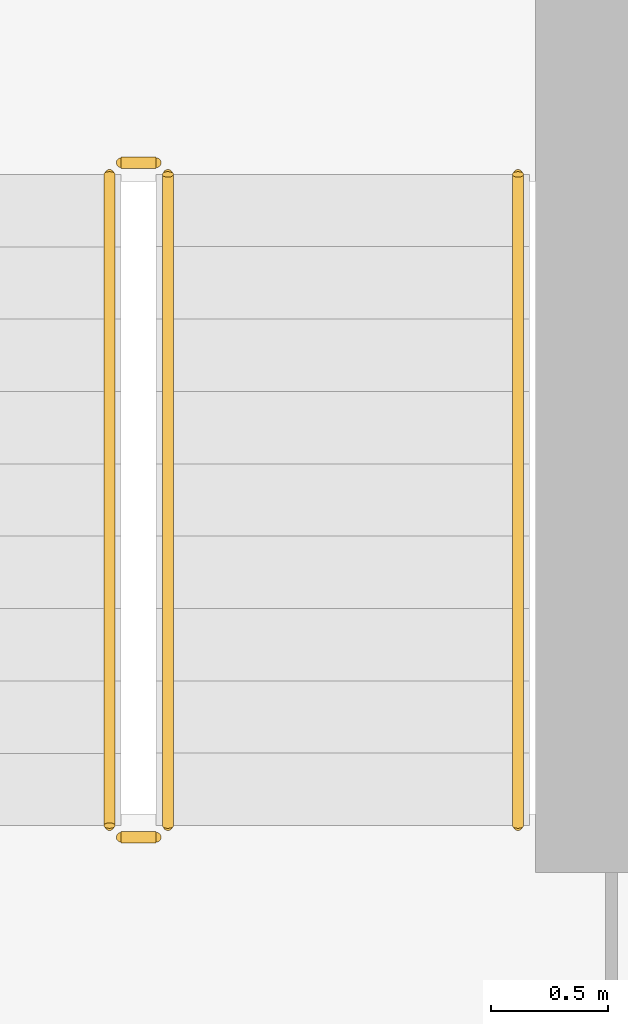
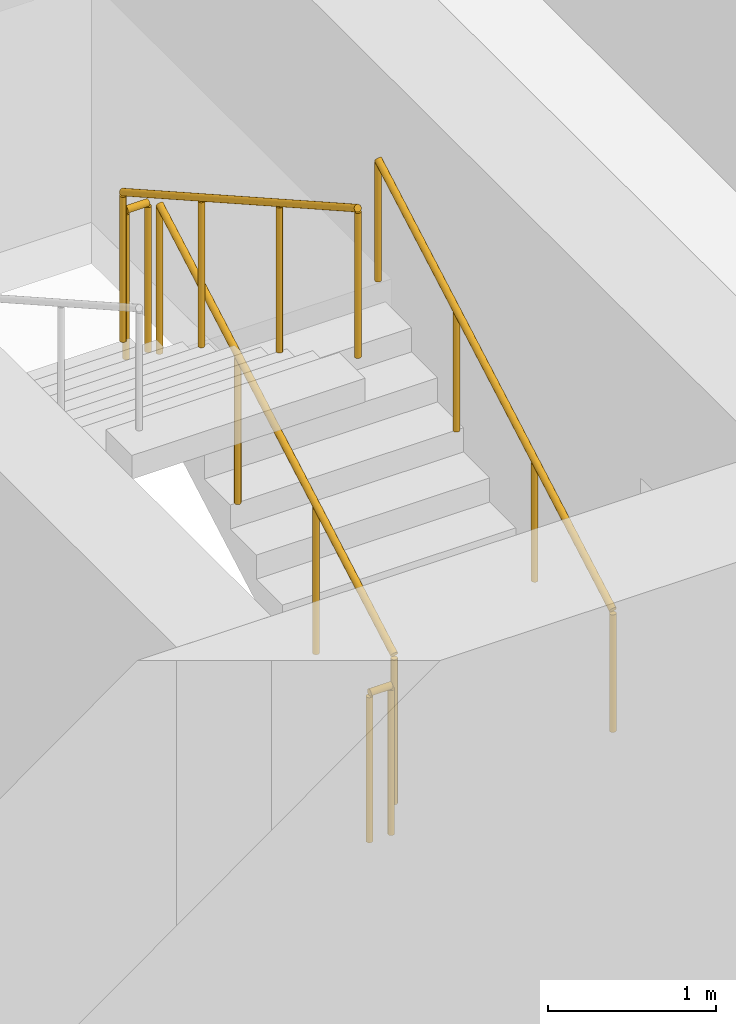
# One storey, part 20 of 22: 5 railings.
"""IFC4 building model written with IfcOpenShell, lengths in metres."""

from ifc_helpers import new_model, si_unit, direction, frame, origin, origin_2d, place, context, subcontext, project, spatial, circle, extrude, material, type_object, element, save


model = new_model("IFC4")

# Units and contexts
model_context = context("Model", 3, precision=1e-05, world=origin(), true_north=direction((0.0, 1.0)))
body_context = subcontext(model_context, "Body", "Model", "MODEL_VIEW")
ifc_project = project(units=[si_unit("LENGTHUNIT", "METRE"), si_unit("AREAUNIT", "SQUARE_METRE"), si_unit("VOLUMEUNIT", "CUBIC_METRE"), si_unit("PLANEANGLEUNIT", "RADIAN"), si_unit("MASSUNIT", "GRAM", prefix="KILO")], contexts=[model_context])

# Site, building, storey
site_placement = place(None, origin())
site = spatial("IfcSite", under=ifc_project, at=site_placement, CompositionType="ELEMENT")
building_placement = place(site_placement, origin())
building = spatial("IfcBuilding", under=site, at=building_placement, Name="Madar Terraces", CompositionType="ELEMENT")
storey_placement = place(building_placement, frame((0.0, 0.0, 73.300048828125)))
storey = spatial("IfcBuildingStorey", under=building, at=storey_placement, Name="L18", CompositionType="ELEMENT", Elevation=73.300048828125)

# Railings
ifc_material_1 = material(Name="Stainless steel railing", Category="steel")
railing_type_1 = type_object("IfcRailingType", Name="Stair guard 1100", PredefinedType="GUARDRAIL", material=ifc_material_1)
railing_1_placement = place(storey_placement, frame((41.449951171875, 17.60009765625, 0.175048828125)))
element("IfcRailing", 1, at=railing_1_placement, inside=storey, type_object=railing_type_1, Name="L18 ST3 stair guard 1", PredefinedType="GUARDRAIL", context=body_context, shape_type="SweptSolid", body=[
    extrude(circle(Radius=0.02392578125, at=origin_2d()), frame((0.0, 0.0, 1.076171875), z_axis=(0.0, 0.870815363784, 0.491610213684), x_axis=(-1.0, 0.0, 0.0)), (0.0, 0.0, 1.0), 3.20361328125),
    extrude(circle(Radius=0.02099609375, at=origin_2d()), origin(), (0.0, 0.0, 1.0), 1.052001953125),
    extrude(circle(Radius=0.02099609375, at=origin_2d()), frame((0.0, 0.929931640625, 0.52490234375)), (0.0, 0.0, 1.0), 1.052001953125),
    extrude(circle(Radius=0.02099609375, at=origin_2d()), frame((0.0, 1.85986328125, 1.050048828125)), (0.0, 0.0, 1.0), 1.052001953125),
    extrude(circle(Radius=0.02099609375, at=origin_2d()), frame((0.0, 2.789794921875, 1.574951171875)), (0.0, 0.0, 1.0), 1.052001953125),
])
railing_2_placement = place(storey_placement, frame((41.39990234375, 20.43994140625, 1.75)))
element("IfcRailing", 2, at=railing_2_placement, inside=storey, type_object=railing_type_1, Name="L18 ST3 stair guard 2", PredefinedType="GUARDRAIL", context=body_context, shape_type="SweptSolid", body=[
    extrude(circle(Radius=0.02392578125, at=origin_2d()), frame((0.0, 0.0, 1.076171875), z_axis=(-1.0, 0.0, 0.0), x_axis=(0.0, -1.0, 0.0)), (0.0, 0.0, 1.0), 0.14990234375),
    extrude(circle(Radius=0.02099609375, at=origin_2d()), origin(), (0.0, 0.0, 1.0), 1.052001953125),
    extrude(circle(Radius=0.02099609375, at=origin_2d()), frame((-0.14990234375, 0.0, 0.0)), (0.0, 0.0, 1.0), 1.052001953125),
])
railing_3_placement = place(storey_placement, frame((41.199951171875, 20.389892578125, 1.925048828125)))
element("IfcRailing", 3, at=railing_3_placement, inside=storey, type_object=railing_type_1, Name="L18 ST3 stair guard 3", PredefinedType="GUARDRAIL", context=body_context, shape_type="SweptSolid", body=[
    extrude(circle(Radius=0.02392578125, at=origin_2d()), frame((0.0, 0.0, 1.076171875), z_axis=(0.0, -0.870815363784, 0.491610213684), x_axis=(1.0, 0.0, 0.0)), (0.0, 0.0, 1.0), 3.20361328125),
    extrude(circle(Radius=0.02099609375, at=origin_2d()), origin(), (0.0, 0.0, 1.0), 1.052001953125),
    extrude(circle(Radius=0.02099609375, at=origin_2d()), frame((0.0, -0.929931640625, 0.52490234375)), (0.0, 0.0, 1.0), 1.052001953125),
    extrude(circle(Radius=0.02099609375, at=origin_2d()), frame((0.0, -1.85986328125, 1.050048828125)), (0.0, 0.0, 1.0), 1.052001953125),
    extrude(circle(Radius=0.02099609375, at=origin_2d()), frame((0.0, -2.789794921875, 1.574951171875)), (0.0, 0.0, 1.0), 1.052001953125),
])
railing_4_placement = place(storey_placement, frame((41.39990234375, 17.550048828125, 0.0)))
element("IfcRailing", 4, at=railing_4_placement, inside=storey, type_object=railing_type_1, Name="L18 ST3 stair guard 4", PredefinedType="GUARDRAIL", context=body_context, shape_type="SweptSolid", body=[
    extrude(circle(Radius=0.02392578125, at=origin_2d()), frame((0.0, 0.0, 1.076171875), z_axis=(-1.0, 0.0, 0.0), x_axis=(0.0, -1.0, 0.0)), (0.0, 0.0, 1.0), 0.14990234375),
    extrude(circle(Radius=0.02099609375, at=origin_2d()), origin(), (0.0, 0.0, 1.0), 1.052001953125),
    extrude(circle(Radius=0.02099609375, at=origin_2d()), frame((-0.14990234375, 0.0, 0.0)), (0.0, 0.0, 1.0), 1.052001953125),
])
ifc_material_2 = material(Name="Stainless steel railing", Category="steel")
railing_type_2 = type_object("IfcRailingType", Name="Stair handrail 900", PredefinedType="HANDRAIL", material=ifc_material_2)
railing_5_placement = place(storey_placement, frame((42.949951171875, 17.60009765625, 0.175048828125)))
element("IfcRailing", 5, at=railing_5_placement, inside=storey, type_object=railing_type_2, Name="L18 ST3 stair handrail 1", PredefinedType="HANDRAIL", context=body_context, shape_type="SweptSolid", body=[
    extrude(circle(Radius=0.02392578125, at=origin_2d()), frame((0.0, 0.0, 0.8759765625), z_axis=(0.0, 0.870815363784, 0.491610213684), x_axis=(-1.0, 0.0, 0.0)), (0.0, 0.0, 1.0), 3.20361328125),
    extrude(circle(Radius=0.02099609375, at=origin_2d()), origin(), (0.0, 0.0, 1.0), 0.851806640625),
    extrude(circle(Radius=0.02099609375, at=origin_2d()), frame((0.0, 0.929931640625, 0.52490234375)), (0.0, 0.0, 1.0), 0.851806640625),
    extrude(circle(Radius=0.02099609375, at=origin_2d()), frame((0.0, 1.85986328125, 1.050048828125)), (0.0, 0.0, 1.0), 0.851806640625),
    extrude(circle(Radius=0.02099609375, at=origin_2d()), frame((0.0, 2.789794921875, 1.574951171875)), (0.0, 0.0, 1.0), 0.851806640625),
])

save(model, "model.ifc")
